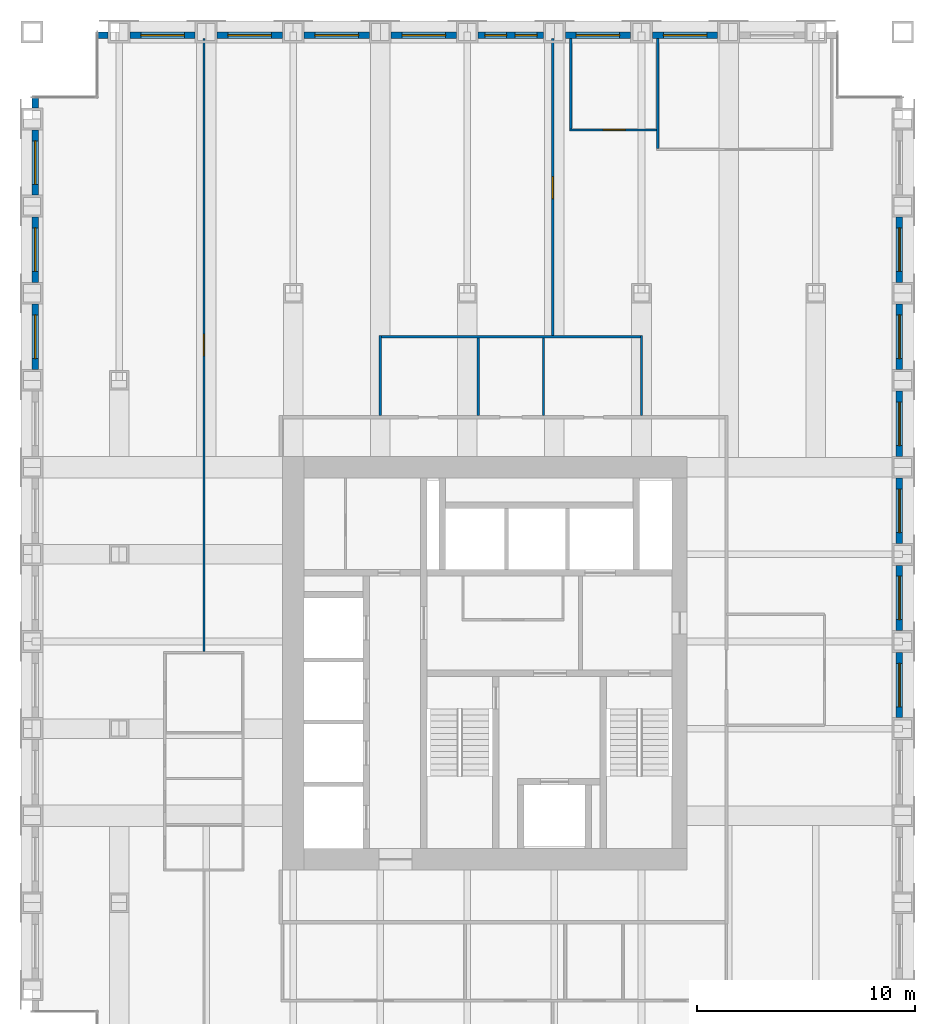
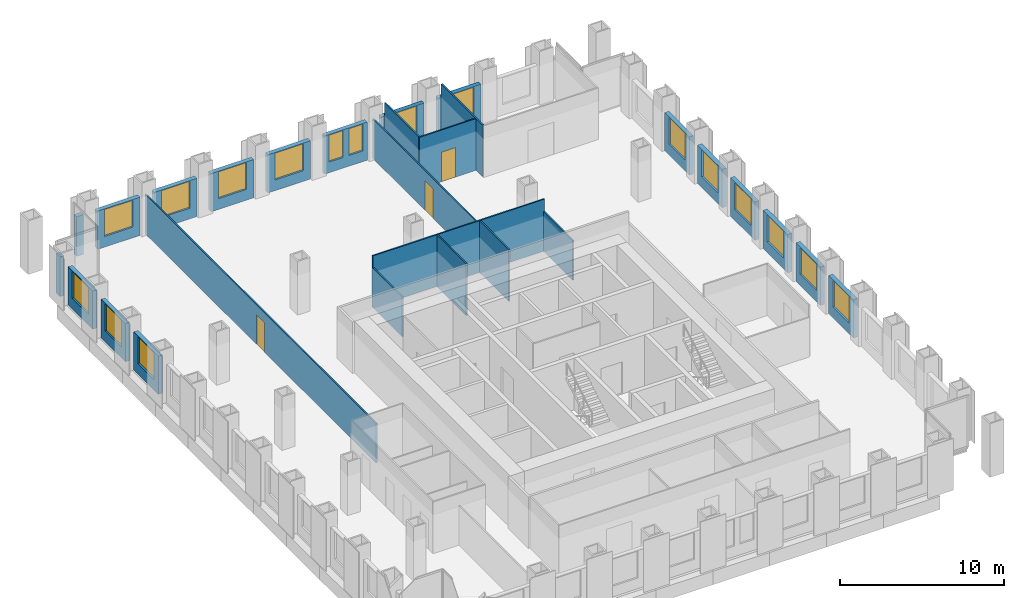
# One storey, part 11 of 13: 28 walls, 17 windows, 3 doors, 20 openings.
"""IFC4 building model written with IfcOpenShell, lengths in metres."""

from ifc_helpers import new_model, si_unit, direction, frame, frame_2d, origin, place, context, subcontext, project, spatial, rectangle, extrude, material, layer, layer_set, type_object, element, fill, save


model = new_model("IFC4")

# Units and contexts
model_context = context("Model", 3, precision=1e-05, world=origin(), true_north=direction((0.0, 1.0)))
body_context = subcontext(model_context, "Body", "Model", "MODEL_VIEW")
ifc_project = project(units=[si_unit("LENGTHUNIT", "METRE"), si_unit("AREAUNIT", "SQUARE_METRE"), si_unit("VOLUMEUNIT", "CUBIC_METRE"), si_unit("PLANEANGLEUNIT", "RADIAN"), si_unit("MASSUNIT", "GRAM", prefix="KILO")], contexts=[model_context])

# Site, building, storey
site_placement = place(None, origin())
site = spatial("IfcSite", under=ifc_project, at=site_placement, CompositionType="ELEMENT")
building_placement = place(site_placement, origin())
building = spatial("IfcBuilding", under=site, at=building_placement, Name="Rimbunsela Tower", CompositionType="ELEMENT")
storey_placement = place(building_placement, frame((0.0, 0.0, 195.800048828125)))
storey = spatial("IfcBuildingStorey", under=building, at=storey_placement, Name="L47", CompositionType="ELEMENT", Elevation=195.800048828125)

# Wall, opening, door
ifc_material_1 = material(Name="Gypsum board on steel studs", Category="steel")
ifc_layer_1 = layer(ifc_material_1, 0.10009765625)
ifc_layer_set_1 = layer_set([ifc_layer_1], Name="Office partition 100")
wall_type_1 = type_object("IfcWallType", Name="Office partition 100", PredefinedType="PARTITIONING", material=ifc_layer_set_1)
wall_1_placement = place(storey_placement, frame((30.699951171875, 51.5, 0.0), z_axis=(0.0, 0.0, 1.0), x_axis=(1.0, 0.0, 0.0)))
wall_1 = element("IfcWall", 1, at=wall_1_placement, inside=storey, type_object=wall_type_1, Name="Office partition", PredefinedType="PARTITIONING", context=body_context, shape_type="SweptSolid", body=[
    extrude(rectangle(XDim=4.0, YDim=0.10009765625, at=frame_2d((2.0, 0.0))), origin(), (0.0, 0.0, 1.0), 3.849853515625),
])
opening_1_placement = place(wall_1_placement, frame((1.550048828125, 0.0, 0.0)))
opening_1 = element("IfcOpeningElement", 2, at=opening_1_placement, cuts=wall_1, Name="Opening D16", PredefinedType="OPENING", context=body_context, shape_type="SweptSolid", body=[
    extrude(rectangle(XDim=1.0, YDim=2.199951171875, at=frame_2d((0.5, 1.10009765625))), frame((0.0, 0.06005859375, 0.0), z_axis=(0.0, -1.0, 0.0), x_axis=(1.0, 0.0, 0.0)), (0.0, 0.0, 1.0), 0.1201171875),
])
ifc_material_2 = material(Name="Timber door", Category="wood")
door_type_1 = type_object("IfcDoorType", Name="Office door 1000", OperationType="SINGLE_SWING_LEFT", PredefinedType="DOOR", material=ifc_material_2)
door_1_placement = place(opening_1_placement, origin())
door_1 = element("IfcDoor", 3, at=door_1_placement, inside=storey, type_object=door_type_1, Name="Office door", OperationType="SINGLE_SWING_LEFT", OverallHeight=2.199951171875, OverallWidth=1.0, PredefinedType="DOOR", context=body_context, shape_type="SweptSolid", body=[
    extrude(rectangle(XDim=1.0, YDim=2.199951171875, at=frame_2d((0.5, 1.10009765625))), frame((0.0, 0.02490234375, 0.0), z_axis=(0.0, -1.0, 0.0), x_axis=(1.0, 0.0, 0.0)), (0.0, 0.0, 1.0), 0.050048828125),
])
fill(opening_1, door_1)

# Walls
wall_2_placement = place(storey_placement, frame((30.75, 51.550048828125, 0.0), z_axis=(0.0, 0.0, 1.0), x_axis=(0.0, 1.0, 0.0)))
element("IfcWall", 4, at=wall_2_placement, inside=storey, type_object=wall_type_1, Name="Office partition", PredefinedType="PARTITIONING", context=body_context, shape_type="SweptSolid", body=[
    extrude(rectangle(XDim=4.14990234375, YDim=0.10009765625, at=frame_2d((2.074951171875, 0.0))), origin(), (0.0, 0.0, 1.0), 3.849853515625),
])
wall_3_placement = place(storey_placement, frame((34.75, 50.64990234375, 0.0), z_axis=(0.0, 0.0, 1.0), x_axis=(0.0, 1.0, 0.0)))
element("IfcWall", 5, at=wall_3_placement, inside=storey, type_object=wall_type_1, Name="Office partition", PredefinedType="PARTITIONING", context=body_context, shape_type="SweptSolid", body=[
    extrude(rectangle(XDim=5.050048828125, YDim=0.10009765625, at=frame_2d((2.52490234375, 0.0))), origin(), (0.0, 0.0, 1.0), 3.849853515625),
])

# Wall, opening, door
wall_4_placement = place(storey_placement, frame((29.925048828125, 55.699951171875, 0.0), z_axis=(0.0, 0.0, 1.0), x_axis=(0.0, -1.0, 0.0)))
wall_4 = element("IfcWall", 6, at=wall_4_placement, inside=storey, type_object=wall_type_1, Name="Office partition", PredefinedType="PARTITIONING", context=body_context, shape_type="SweptSolid", body=[
    extrude(rectangle(XDim=13.699951171875, YDim=0.10009765625, at=frame_2d((6.85009765625, 0.0))), origin(), (0.0, 0.0, 1.0), 2.949951171875),
])
opening_2_placement = place(wall_4_placement, frame((6.35009765625, 0.0, 0.0)))
opening_2 = element("IfcOpeningElement", 7, at=opening_2_placement, cuts=wall_4, Name="Opening D17", PredefinedType="OPENING", context=body_context, shape_type="SweptSolid", body=[
    extrude(rectangle(XDim=1.0, YDim=2.199951171875, at=frame_2d((0.5, 1.10009765625))), frame((0.0, 0.06005859375, 0.0), z_axis=(0.0, -1.0, 0.0), x_axis=(1.0, 0.0, 0.0)), (0.0, 0.0, 1.0), 0.1201171875),
])
ifc_material_3 = material(Name="Glazed aluminium door", Category="aluminium")
door_type_2 = type_object("IfcDoorType", Name="Meeting room door 1000 glazed", OperationType="SINGLE_SWING_RIGHT", PredefinedType="DOOR", material=ifc_material_3)
door_2_placement = place(opening_2_placement, origin())
door_2 = element("IfcDoor", 8, at=door_2_placement, inside=storey, type_object=door_type_2, Name="Open office screen door", OperationType="SINGLE_SWING_RIGHT", OverallHeight=2.199951171875, OverallWidth=1.0, PredefinedType="DOOR", context=body_context, shape_type="SweptSolid", body=[
    extrude(rectangle(XDim=1.0, YDim=2.199951171875, at=frame_2d((0.5, 1.10009765625))), frame((0.0, 0.02490234375, 0.0), z_axis=(0.0, -1.0, 0.0), x_axis=(1.0, 0.0, 0.0)), (0.0, 0.0, 1.0), 0.050048828125),
])
fill(opening_2, door_2)

wall_5_placement = place(storey_placement, frame((13.89990234375, 27.550048828125, 0.0), z_axis=(0.0, 0.0, 1.0), x_axis=(0.0, 1.0, 0.0)))
wall_5 = element("IfcWall", 9, at=wall_5_placement, inside=storey, type_object=wall_type_1, Name="Office partition", PredefinedType="PARTITIONING", context=body_context, shape_type="SweptSolid", body=[
    extrude(rectangle(XDim=28.14990234375, YDim=0.10009765625, at=frame_2d((14.074951171875, 0.0))), origin(), (0.0, 0.0, 1.0), 2.949951171875),
])
opening_3_placement = place(wall_5_placement, frame((13.574951171875, 0.0, 0.0)))
opening_3 = element("IfcOpeningElement", 10, at=opening_3_placement, cuts=wall_5, Name="Opening D17", PredefinedType="OPENING", context=body_context, shape_type="SweptSolid", body=[
    extrude(rectangle(XDim=1.0, YDim=2.199951171875, at=frame_2d((0.5, 1.10009765625))), frame((0.0, 0.06005859375, 0.0), z_axis=(0.0, -1.0, 0.0), x_axis=(1.0, 0.0, 0.0)), (0.0, 0.0, 1.0), 0.1201171875),
])
door_3_placement = place(opening_3_placement, origin())
door_3 = element("IfcDoor", 11, at=door_3_placement, inside=storey, type_object=door_type_2, Name="Open office screen door", OperationType="SINGLE_SWING_RIGHT", OverallHeight=2.199951171875, OverallWidth=1.0, PredefinedType="DOOR", context=body_context, shape_type="SweptSolid", body=[
    extrude(rectangle(XDim=1.0, YDim=2.199951171875, at=frame_2d((0.5, 1.10009765625))), frame((0.0, 0.02490234375, 0.0), z_axis=(0.0, -1.0, 0.0), x_axis=(1.0, 0.0, 0.0)), (0.0, 0.0, 1.0), 0.050048828125),
])
fill(opening_3, door_3)

# Wall, opening, window
ifc_material_4 = material(Name="Precast concrete fc' 35 MPa", Category="concrete")
ifc_layer_2 = layer(ifc_material_4, 0.300048828125)
ifc_layer_set_2 = layer_set([ifc_layer_2], Name="Precast concrete fc' 35 MPa")
wall_type_2 = type_object("IfcWallType", Name="Precast facade panel 300", PredefinedType="ELEMENTEDWALL", material=ifc_layer_set_2)
wall_6_placement = place(storey_placement, frame((45.85009765625, 24.5, 0.0), z_axis=(0.0, 0.0, 1.0), x_axis=(0.0, 1.0, 0.0)))
wall_6 = element("IfcWall", 12, at=wall_6_placement, inside=storey, type_object=wall_type_2, Name="Facade panel E L47", PredefinedType="ELEMENTEDWALL", context=body_context, shape_type="SweptSolid", body=[
    extrude(rectangle(XDim=3.0, YDim=0.300048828125, at=frame_2d((1.5, 0.0))), origin(), (0.0, 0.0, 1.0), 2.849853515625),
])
opening_4_placement = place(wall_6_placement, frame((0.5, 0.0, 0.800048828125)))
opening_4 = element("IfcOpeningElement", 13, at=opening_4_placement, cuts=wall_6, Name="Opening W1", PredefinedType="OPENING", context=body_context, shape_type="SweptSolid", body=[
    extrude(rectangle(XDim=2.0, YDim=2.0, at=frame_2d((1.0, 1.0))), frame((0.0, 0.159912109375, 0.0), z_axis=(0.0, -1.0, 0.0), x_axis=(1.0, 0.0, 0.0)), (0.0, 0.0, 1.0), 0.320068359375),
])
ifc_material_5 = material(Name="Clear glass in aluminium frame", Category="aluminium")
window_type_1 = type_object("IfcWindowType", Name="Window W1 2000x2000", PartitioningType="DOUBLE_PANEL_VERTICAL", PredefinedType="WINDOW", material=ifc_material_5)
window_1_placement = place(opening_4_placement, origin())
window_1 = element("IfcWindow", 14, at=window_1_placement, inside=storey, type_object=window_type_1, Name="Window L47", OverallHeight=2.0, OverallWidth=2.0, PartitioningType="SINGLE_PANEL", PredefinedType="WINDOW", context=body_context, shape_type="SweptSolid", body=[
    extrude(rectangle(XDim=2.0, YDim=2.0, at=frame_2d((1.0, 1.0))), frame((0.0, 0.030029296875, 0.0), z_axis=(0.0, -1.0, 0.0), x_axis=(1.0, 0.0, 0.0)), (0.0, 0.0, 1.0), 0.06005859375),
])
fill(opening_4, window_1)

wall_7_placement = place(storey_placement, frame((45.85009765625, 28.5, 0.0), z_axis=(0.0, 0.0, 1.0), x_axis=(0.0, 1.0, 0.0)))
wall_7 = element("IfcWall", 15, at=wall_7_placement, inside=storey, type_object=wall_type_2, Name="Facade panel E L47", PredefinedType="ELEMENTEDWALL", context=body_context, shape_type="SweptSolid", body=[
    extrude(rectangle(XDim=3.0, YDim=0.300048828125, at=frame_2d((1.5, 0.0))), origin(), (0.0, 0.0, 1.0), 2.849853515625),
])
opening_5_placement = place(wall_7_placement, frame((0.5, 0.0, 0.800048828125)))
opening_5 = element("IfcOpeningElement", 16, at=opening_5_placement, cuts=wall_7, Name="Opening W1", PredefinedType="OPENING", context=body_context, shape_type="SweptSolid", body=[
    extrude(rectangle(XDim=2.0, YDim=2.0, at=frame_2d((1.0, 1.0))), frame((0.0, 0.159912109375, 0.0), z_axis=(0.0, -1.0, 0.0), x_axis=(1.0, 0.0, 0.0)), (0.0, 0.0, 1.0), 0.320068359375),
])
window_2_placement = place(opening_5_placement, origin())
window_2 = element("IfcWindow", 17, at=window_2_placement, inside=storey, type_object=window_type_1, Name="Window L47", OverallHeight=2.0, OverallWidth=2.0, PartitioningType="SINGLE_PANEL", PredefinedType="WINDOW", context=body_context, shape_type="SweptSolid", body=[
    extrude(rectangle(XDim=2.0, YDim=2.0, at=frame_2d((1.0, 1.0))), frame((0.0, 0.030029296875, 0.0), z_axis=(0.0, -1.0, 0.0), x_axis=(1.0, 0.0, 0.0)), (0.0, 0.0, 1.0), 0.06005859375),
])
fill(opening_5, window_2)

wall_8_placement = place(storey_placement, frame((45.85009765625, 32.5, 0.0), z_axis=(0.0, 0.0, 1.0), x_axis=(0.0, 1.0, 0.0)))
wall_8 = element("IfcWall", 18, at=wall_8_placement, inside=storey, type_object=wall_type_2, Name="Facade panel E L47", PredefinedType="ELEMENTEDWALL", context=body_context, shape_type="SweptSolid", body=[
    extrude(rectangle(XDim=3.0, YDim=0.300048828125, at=frame_2d((1.5, 0.0))), origin(), (0.0, 0.0, 1.0), 2.849853515625),
])
opening_6_placement = place(wall_8_placement, frame((0.5, 0.0, 0.800048828125)))
opening_6 = element("IfcOpeningElement", 19, at=opening_6_placement, cuts=wall_8, Name="Opening W1", PredefinedType="OPENING", context=body_context, shape_type="SweptSolid", body=[
    extrude(rectangle(XDim=2.0, YDim=2.0, at=frame_2d((1.0, 1.0))), frame((0.0, 0.159912109375, 0.0), z_axis=(0.0, -1.0, 0.0), x_axis=(1.0, 0.0, 0.0)), (0.0, 0.0, 1.0), 0.320068359375),
])
window_3_placement = place(opening_6_placement, origin())
window_3 = element("IfcWindow", 20, at=window_3_placement, inside=storey, type_object=window_type_1, Name="Window L47", OverallHeight=2.0, OverallWidth=2.0, PartitioningType="SINGLE_PANEL", PredefinedType="WINDOW", context=body_context, shape_type="SweptSolid", body=[
    extrude(rectangle(XDim=2.0, YDim=2.0, at=frame_2d((1.0, 1.0))), frame((0.0, 0.030029296875, 0.0), z_axis=(0.0, -1.0, 0.0), x_axis=(1.0, 0.0, 0.0)), (0.0, 0.0, 1.0), 0.06005859375),
])
fill(opening_6, window_3)

wall_9_placement = place(storey_placement, frame((45.85009765625, 36.5, 0.0), z_axis=(0.0, 0.0, 1.0), x_axis=(0.0, 1.0, 0.0)))
wall_9 = element("IfcWall", 21, at=wall_9_placement, inside=storey, type_object=wall_type_2, Name="Facade panel E L47", PredefinedType="ELEMENTEDWALL", context=body_context, shape_type="SweptSolid", body=[
    extrude(rectangle(XDim=3.0, YDim=0.300048828125, at=frame_2d((1.5, 0.0))), origin(), (0.0, 0.0, 1.0), 2.849853515625),
])
opening_7_placement = place(wall_9_placement, frame((0.5, 0.0, 0.800048828125)))
opening_7 = element("IfcOpeningElement", 22, at=opening_7_placement, cuts=wall_9, Name="Opening W1", PredefinedType="OPENING", context=body_context, shape_type="SweptSolid", body=[
    extrude(rectangle(XDim=2.0, YDim=2.0, at=frame_2d((1.0, 1.0))), frame((0.0, 0.159912109375, 0.0), z_axis=(0.0, -1.0, 0.0), x_axis=(1.0, 0.0, 0.0)), (0.0, 0.0, 1.0), 0.320068359375),
])
window_4_placement = place(opening_7_placement, origin())
window_4 = element("IfcWindow", 23, at=window_4_placement, inside=storey, type_object=window_type_1, Name="Window L47", OverallHeight=2.0, OverallWidth=2.0, PartitioningType="SINGLE_PANEL", PredefinedType="WINDOW", context=body_context, shape_type="SweptSolid", body=[
    extrude(rectangle(XDim=2.0, YDim=2.0, at=frame_2d((1.0, 1.0))), frame((0.0, 0.030029296875, 0.0), z_axis=(0.0, -1.0, 0.0), x_axis=(1.0, 0.0, 0.0)), (0.0, 0.0, 1.0), 0.06005859375),
])
fill(opening_7, window_4)

wall_10_placement = place(storey_placement, frame((45.85009765625, 40.5, 0.0), z_axis=(0.0, 0.0, 1.0), x_axis=(0.0, 1.0, 0.0)))
wall_10 = element("IfcWall", 24, at=wall_10_placement, inside=storey, type_object=wall_type_2, Name="Facade panel E L47", PredefinedType="ELEMENTEDWALL", context=body_context, shape_type="SweptSolid", body=[
    extrude(rectangle(XDim=3.0, YDim=0.300048828125, at=frame_2d((1.5, 0.0))), origin(), (0.0, 0.0, 1.0), 2.849853515625),
])
opening_8_placement = place(wall_10_placement, frame((0.5, 0.0, 0.800048828125)))
opening_8 = element("IfcOpeningElement", 25, at=opening_8_placement, cuts=wall_10, Name="Opening W1", PredefinedType="OPENING", context=body_context, shape_type="SweptSolid", body=[
    extrude(rectangle(XDim=2.0, YDim=2.0, at=frame_2d((1.0, 1.0))), frame((0.0, 0.159912109375, 0.0), z_axis=(0.0, -1.0, 0.0), x_axis=(1.0, 0.0, 0.0)), (0.0, 0.0, 1.0), 0.320068359375),
])
window_5_placement = place(opening_8_placement, origin())
window_5 = element("IfcWindow", 26, at=window_5_placement, inside=storey, type_object=window_type_1, Name="Window L47", OverallHeight=2.0, OverallWidth=2.0, PartitioningType="SINGLE_PANEL", PredefinedType="WINDOW", context=body_context, shape_type="SweptSolid", body=[
    extrude(rectangle(XDim=2.0, YDim=2.0, at=frame_2d((1.0, 1.0))), frame((0.0, 0.030029296875, 0.0), z_axis=(0.0, -1.0, 0.0), x_axis=(1.0, 0.0, 0.0)), (0.0, 0.0, 1.0), 0.06005859375),
])
fill(opening_8, window_5)

wall_11_placement = place(storey_placement, frame((45.85009765625, 44.5, 0.0), z_axis=(0.0, 0.0, 1.0), x_axis=(0.0, 1.0, 0.0)))
wall_11 = element("IfcWall", 27, at=wall_11_placement, inside=storey, type_object=wall_type_2, Name="Facade panel E L47", PredefinedType="ELEMENTEDWALL", context=body_context, shape_type="SweptSolid", body=[
    extrude(rectangle(XDim=3.0, YDim=0.300048828125, at=frame_2d((1.5, 0.0))), origin(), (0.0, 0.0, 1.0), 2.849853515625),
])
opening_9_placement = place(wall_11_placement, frame((0.5, 0.0, 0.800048828125)))
opening_9 = element("IfcOpeningElement", 28, at=opening_9_placement, cuts=wall_11, Name="Opening W1", PredefinedType="OPENING", context=body_context, shape_type="SweptSolid", body=[
    extrude(rectangle(XDim=2.0, YDim=2.0, at=frame_2d((1.0, 1.0))), frame((0.0, 0.159912109375, 0.0), z_axis=(0.0, -1.0, 0.0), x_axis=(1.0, 0.0, 0.0)), (0.0, 0.0, 1.0), 0.320068359375),
])
window_6_placement = place(opening_9_placement, origin())
window_6 = element("IfcWindow", 29, at=window_6_placement, inside=storey, type_object=window_type_1, Name="Window L47", OverallHeight=2.0, OverallWidth=2.0, PartitioningType="SINGLE_PANEL", PredefinedType="WINDOW", context=body_context, shape_type="SweptSolid", body=[
    extrude(rectangle(XDim=2.0, YDim=2.0, at=frame_2d((1.0, 1.0))), frame((0.0, 0.030029296875, 0.0), z_axis=(0.0, -1.0, 0.0), x_axis=(1.0, 0.0, 0.0)), (0.0, 0.0, 1.0), 0.06005859375),
])
fill(opening_9, window_6)

# Wall
wall_12_placement = place(storey_placement, frame((9.5, 55.85009765625, 0.0), z_axis=(0.0, 0.0, 1.0), x_axis=(-1.0, 0.0, 0.0)))
element("IfcWall", 30, at=wall_12_placement, inside=storey, type_object=wall_type_2, Name="Facade panel N L47", PredefinedType="ELEMENTEDWALL", context=body_context, shape_type="SweptSolid", body=[
    extrude(rectangle(XDim=0.469970703125, YDim=0.300048828125, at=frame_2d((0.23486328125, 0.0))), origin(), (0.0, 0.0, 1.0), 2.949951171875),
])

# Wall, opening, window
wall_13_placement = place(storey_placement, frame((13.5, 55.85009765625, 0.0), z_axis=(0.0, 0.0, 1.0), x_axis=(-1.0, 0.0, 0.0)))
wall_13 = element("IfcWall", 31, at=wall_13_placement, inside=storey, type_object=wall_type_2, Name="Facade panel N L47", PredefinedType="ELEMENTEDWALL", context=body_context, shape_type="SweptSolid", body=[
    extrude(rectangle(XDim=3.0, YDim=0.300048828125, at=frame_2d((1.5, 0.0))), origin(), (0.0, 0.0, 1.0), 2.849853515625),
])
opening_10_placement = place(wall_13_placement, frame((0.5, 0.0, 0.800048828125)))
opening_10 = element("IfcOpeningElement", 32, at=opening_10_placement, cuts=wall_13, Name="Opening W1", PredefinedType="OPENING", context=body_context, shape_type="SweptSolid", body=[
    extrude(rectangle(XDim=2.0, YDim=2.0, at=frame_2d((1.0, 1.0))), frame((0.0, 0.159912109375, 0.0), z_axis=(0.0, -1.0, 0.0), x_axis=(1.0, 0.0, 0.0)), (0.0, 0.0, 1.0), 0.320068359375),
])
window_7_placement = place(opening_10_placement, origin())
window_7 = element("IfcWindow", 33, at=window_7_placement, inside=storey, type_object=window_type_1, Name="Window L47", OverallHeight=2.0, OverallWidth=2.0, PartitioningType="SINGLE_PANEL", PredefinedType="WINDOW", context=body_context, shape_type="SweptSolid", body=[
    extrude(rectangle(XDim=2.0, YDim=2.0, at=frame_2d((1.0, 1.0))), frame((0.0, 0.030029296875, 0.0), z_axis=(0.0, -1.0, 0.0), x_axis=(1.0, 0.0, 0.0)), (0.0, 0.0, 1.0), 0.06005859375),
])
fill(opening_10, window_7)

wall_14_placement = place(storey_placement, frame((17.5, 55.85009765625, 0.0), z_axis=(0.0, 0.0, 1.0), x_axis=(-1.0, 0.0, 0.0)))
wall_14 = element("IfcWall", 34, at=wall_14_placement, inside=storey, type_object=wall_type_2, Name="Facade panel N L47", PredefinedType="ELEMENTEDWALL", context=body_context, shape_type="SweptSolid", body=[
    extrude(rectangle(XDim=3.0, YDim=0.300048828125, at=frame_2d((1.5, 0.0))), origin(), (0.0, 0.0, 1.0), 2.849853515625),
])
opening_11_placement = place(wall_14_placement, frame((0.5, 0.0, 0.800048828125)))
opening_11 = element("IfcOpeningElement", 35, at=opening_11_placement, cuts=wall_14, Name="Opening W1", PredefinedType="OPENING", context=body_context, shape_type="SweptSolid", body=[
    extrude(rectangle(XDim=2.0, YDim=2.0, at=frame_2d((1.0, 1.0))), frame((0.0, 0.159912109375, 0.0), z_axis=(0.0, -1.0, 0.0), x_axis=(1.0, 0.0, 0.0)), (0.0, 0.0, 1.0), 0.320068359375),
])
window_8_placement = place(opening_11_placement, origin())
window_8 = element("IfcWindow", 36, at=window_8_placement, inside=storey, type_object=window_type_1, Name="Window L47", OverallHeight=2.0, OverallWidth=2.0, PartitioningType="SINGLE_PANEL", PredefinedType="WINDOW", context=body_context, shape_type="SweptSolid", body=[
    extrude(rectangle(XDim=2.0, YDim=2.0, at=frame_2d((1.0, 1.0))), frame((0.0, 0.030029296875, 0.0), z_axis=(0.0, -1.0, 0.0), x_axis=(1.0, 0.0, 0.0)), (0.0, 0.0, 1.0), 0.06005859375),
])
fill(opening_11, window_8)

wall_15_placement = place(storey_placement, frame((21.5, 55.85009765625, 0.0), z_axis=(0.0, 0.0, 1.0), x_axis=(-1.0, 0.0, 0.0)))
wall_15 = element("IfcWall", 37, at=wall_15_placement, inside=storey, type_object=wall_type_2, Name="Facade panel N L47", PredefinedType="ELEMENTEDWALL", context=body_context, shape_type="SweptSolid", body=[
    extrude(rectangle(XDim=3.0, YDim=0.300048828125, at=frame_2d((1.5, 0.0))), origin(), (0.0, 0.0, 1.0), 2.849853515625),
])
opening_12_placement = place(wall_15_placement, frame((0.5, 0.0, 0.800048828125)))
opening_12 = element("IfcOpeningElement", 38, at=opening_12_placement, cuts=wall_15, Name="Opening W1", PredefinedType="OPENING", context=body_context, shape_type="SweptSolid", body=[
    extrude(rectangle(XDim=2.0, YDim=2.0, at=frame_2d((1.0, 1.0))), frame((0.0, 0.159912109375, 0.0), z_axis=(0.0, -1.0, 0.0), x_axis=(1.0, 0.0, 0.0)), (0.0, 0.0, 1.0), 0.320068359375),
])
window_9_placement = place(opening_12_placement, origin())
window_9 = element("IfcWindow", 39, at=window_9_placement, inside=storey, type_object=window_type_1, Name="Window L47", OverallHeight=2.0, OverallWidth=2.0, PartitioningType="SINGLE_PANEL", PredefinedType="WINDOW", context=body_context, shape_type="SweptSolid", body=[
    extrude(rectangle(XDim=2.0, YDim=2.0, at=frame_2d((1.0, 1.0))), frame((0.0, 0.030029296875, 0.0), z_axis=(0.0, -1.0, 0.0), x_axis=(1.0, 0.0, 0.0)), (0.0, 0.0, 1.0), 0.06005859375),
])
fill(opening_12, window_9)

wall_16_placement = place(storey_placement, frame((25.5, 55.85009765625, 0.0), z_axis=(0.0, 0.0, 1.0), x_axis=(-1.0, 0.0, 0.0)))
wall_16 = element("IfcWall", 40, at=wall_16_placement, inside=storey, type_object=wall_type_2, Name="Facade panel N L47", PredefinedType="ELEMENTEDWALL", context=body_context, shape_type="SweptSolid", body=[
    extrude(rectangle(XDim=3.0, YDim=0.300048828125, at=frame_2d((1.5, 0.0))), origin(), (0.0, 0.0, 1.0), 2.849853515625),
])
opening_13_placement = place(wall_16_placement, frame((0.5, 0.0, 0.800048828125)))
opening_13 = element("IfcOpeningElement", 41, at=opening_13_placement, cuts=wall_16, Name="Opening W1", PredefinedType="OPENING", context=body_context, shape_type="SweptSolid", body=[
    extrude(rectangle(XDim=2.0, YDim=2.0, at=frame_2d((1.0, 1.0))), frame((0.0, 0.159912109375, 0.0), z_axis=(0.0, -1.0, 0.0), x_axis=(1.0, 0.0, 0.0)), (0.0, 0.0, 1.0), 0.320068359375),
])
window_10_placement = place(opening_13_placement, origin())
window_10 = element("IfcWindow", 42, at=window_10_placement, inside=storey, type_object=window_type_1, Name="Window L47", OverallHeight=2.0, OverallWidth=2.0, PartitioningType="SINGLE_PANEL", PredefinedType="WINDOW", context=body_context, shape_type="SweptSolid", body=[
    extrude(rectangle(XDim=2.0, YDim=2.0, at=frame_2d((1.0, 1.0))), frame((0.0, 0.030029296875, 0.0), z_axis=(0.0, -1.0, 0.0), x_axis=(1.0, 0.0, 0.0)), (0.0, 0.0, 1.0), 0.06005859375),
])
fill(opening_13, window_10)

# Wall, openings, windows
wall_17_placement = place(storey_placement, frame((29.5, 55.85009765625, 0.0), z_axis=(0.0, 0.0, 1.0), x_axis=(-1.0, 0.0, 0.0)))
wall_17 = element("IfcWall", 43, at=wall_17_placement, inside=storey, type_object=wall_type_2, Name="Facade panel N L47", PredefinedType="ELEMENTEDWALL", context=body_context, shape_type="SweptSolid", body=[
    extrude(rectangle(XDim=3.0, YDim=0.300048828125, at=frame_2d((1.5, 0.0))), origin(), (0.0, 0.0, 1.0), 2.849853515625),
])
opening_14_placement = place(wall_17_placement, frame((1.699951171875, 0.0, 0.800048828125)))
opening_14 = element("IfcOpeningElement", 44, at=opening_14_placement, cuts=wall_17, Name="Opening W5", PredefinedType="OPENING", context=body_context, shape_type="SweptSolid", body=[
    extrude(rectangle(XDim=1.0, YDim=2.0, at=frame_2d((0.5, 1.0))), frame((0.0, 0.159912109375, 0.0), z_axis=(0.0, -1.0, 0.0), x_axis=(1.0, 0.0, 0.0)), (0.0, 0.0, 1.0), 0.320068359375),
])
opening_15_placement = place(wall_17_placement, frame((0.300048828125, 0.0, 0.800048828125)))
opening_15 = element("IfcOpeningElement", 45, at=opening_15_placement, cuts=wall_17, Name="Opening W5", PredefinedType="OPENING", context=body_context, shape_type="SweptSolid", body=[
    extrude(rectangle(XDim=1.0, YDim=2.0, at=frame_2d((0.5, 1.0))), frame((0.0, 0.159912109375, 0.0), z_axis=(0.0, -1.0, 0.0), x_axis=(1.0, 0.0, 0.0)), (0.0, 0.0, 1.0), 0.320068359375),
])
ifc_material_6 = material(Name="Clear glass in aluminium frame", Category="aluminium")
window_type_2 = type_object("IfcWindowType", Name="Window W5 1000x2000", PartitioningType="SINGLE_PANEL", PredefinedType="WINDOW", material=ifc_material_6)
window_11_placement = place(opening_14_placement, origin())
window_11 = element("IfcWindow", 46, at=window_11_placement, inside=storey, type_object=window_type_2, Name="Window L47", OverallHeight=2.0, OverallWidth=1.0, PartitioningType="SINGLE_PANEL", PredefinedType="WINDOW", context=body_context, shape_type="SweptSolid", body=[
    extrude(rectangle(XDim=1.0, YDim=2.0, at=frame_2d((0.5, 1.0))), frame((0.0, 0.030029296875, 0.0), z_axis=(0.0, -1.0, 0.0), x_axis=(1.0, 0.0, 0.0)), (0.0, 0.0, 1.0), 0.06005859375),
])
fill(opening_14, window_11)
window_12_placement = place(opening_15_placement, origin())
window_12 = element("IfcWindow", 47, at=window_12_placement, inside=storey, type_object=window_type_2, Name="Window L47", OverallHeight=2.0, OverallWidth=1.0, PartitioningType="SINGLE_PANEL", PredefinedType="WINDOW", context=body_context, shape_type="SweptSolid", body=[
    extrude(rectangle(XDim=1.0, YDim=2.0, at=frame_2d((0.5, 1.0))), frame((0.0, 0.030029296875, 0.0), z_axis=(0.0, -1.0, 0.0), x_axis=(1.0, 0.0, 0.0)), (0.0, 0.0, 1.0), 0.06005859375),
])
fill(opening_15, window_12)

# Wall, opening, window
wall_18_placement = place(storey_placement, frame((33.5, 55.85009765625, 0.0), z_axis=(0.0, 0.0, 1.0), x_axis=(-1.0, 0.0, 0.0)))
wall_18 = element("IfcWall", 48, at=wall_18_placement, inside=storey, type_object=wall_type_2, Name="Facade panel N L47", PredefinedType="ELEMENTEDWALL", context=body_context, shape_type="SweptSolid", body=[
    extrude(rectangle(XDim=3.0, YDim=0.300048828125, at=frame_2d((1.5, 0.0))), origin(), (0.0, 0.0, 1.0), 2.849853515625),
])
opening_16_placement = place(wall_18_placement, frame((0.5, 0.0, 0.800048828125)))
opening_16 = element("IfcOpeningElement", 49, at=opening_16_placement, cuts=wall_18, Name="Opening W1", PredefinedType="OPENING", context=body_context, shape_type="SweptSolid", body=[
    extrude(rectangle(XDim=2.0, YDim=2.0, at=frame_2d((1.0, 1.0))), frame((0.0, 0.159912109375, 0.0), z_axis=(0.0, -1.0, 0.0), x_axis=(1.0, 0.0, 0.0)), (0.0, 0.0, 1.0), 0.320068359375),
])
window_13_placement = place(opening_16_placement, origin())
window_13 = element("IfcWindow", 50, at=window_13_placement, inside=storey, type_object=window_type_1, Name="Window L47", OverallHeight=2.0, OverallWidth=2.0, PartitioningType="SINGLE_PANEL", PredefinedType="WINDOW", context=body_context, shape_type="SweptSolid", body=[
    extrude(rectangle(XDim=2.0, YDim=2.0, at=frame_2d((1.0, 1.0))), frame((0.0, 0.030029296875, 0.0), z_axis=(0.0, -1.0, 0.0), x_axis=(1.0, 0.0, 0.0)), (0.0, 0.0, 1.0), 0.06005859375),
])
fill(opening_16, window_13)

wall_19_placement = place(storey_placement, frame((37.5, 55.85009765625, 0.0), z_axis=(0.0, 0.0, 1.0), x_axis=(-1.0, 0.0, 0.0)))
wall_19 = element("IfcWall", 51, at=wall_19_placement, inside=storey, type_object=wall_type_2, Name="Facade panel N L47", PredefinedType="ELEMENTEDWALL", context=body_context, shape_type="SweptSolid", body=[
    extrude(rectangle(XDim=3.0, YDim=0.300048828125, at=frame_2d((1.5, 0.0))), origin(), (0.0, 0.0, 1.0), 2.849853515625),
])
opening_17_placement = place(wall_19_placement, frame((0.5, 0.0, 0.800048828125)))
opening_17 = element("IfcOpeningElement", 52, at=opening_17_placement, cuts=wall_19, Name="Opening W1", PredefinedType="OPENING", context=body_context, shape_type="SweptSolid", body=[
    extrude(rectangle(XDim=2.0, YDim=2.0, at=frame_2d((1.0, 1.0))), frame((0.0, 0.159912109375, 0.0), z_axis=(0.0, -1.0, 0.0), x_axis=(1.0, 0.0, 0.0)), (0.0, 0.0, 1.0), 0.320068359375),
])
window_14_placement = place(opening_17_placement, origin())
window_14 = element("IfcWindow", 53, at=window_14_placement, inside=storey, type_object=window_type_1, Name="Window L47", OverallHeight=2.0, OverallWidth=2.0, PartitioningType="SINGLE_PANEL", PredefinedType="WINDOW", context=body_context, shape_type="SweptSolid", body=[
    extrude(rectangle(XDim=2.0, YDim=2.0, at=frame_2d((1.0, 1.0))), frame((0.0, 0.030029296875, 0.0), z_axis=(0.0, -1.0, 0.0), x_axis=(1.0, 0.0, 0.0)), (0.0, 0.0, 1.0), 0.06005859375),
])
fill(opening_17, window_14)

wall_20_placement = place(storey_placement, frame((6.14990234375, 43.5, 0.0), z_axis=(0.0, 0.0, 1.0), x_axis=(0.0, -1.0, 0.0)))
wall_20 = element("IfcWall", 54, at=wall_20_placement, inside=storey, type_object=wall_type_2, Name="Facade panel W L47", PredefinedType="ELEMENTEDWALL", context=body_context, shape_type="SweptSolid", body=[
    extrude(rectangle(XDim=3.0, YDim=0.300048828125, at=frame_2d((1.5, 0.0))), origin(), (0.0, 0.0, 1.0), 2.849853515625),
])
opening_18_placement = place(wall_20_placement, frame((0.5, 0.0, 0.800048828125)))
opening_18 = element("IfcOpeningElement", 55, at=opening_18_placement, cuts=wall_20, Name="Opening W1", PredefinedType="OPENING", context=body_context, shape_type="SweptSolid", body=[
    extrude(rectangle(XDim=2.0, YDim=2.0, at=frame_2d((1.0, 1.0))), frame((0.0, 0.159912109375, 0.0), z_axis=(0.0, -1.0, 0.0), x_axis=(1.0, 0.0, 0.0)), (0.0, 0.0, 1.0), 0.320068359375),
])
window_15_placement = place(opening_18_placement, origin())
window_15 = element("IfcWindow", 56, at=window_15_placement, inside=storey, type_object=window_type_1, Name="Window L47", OverallHeight=2.0, OverallWidth=2.0, PartitioningType="SINGLE_PANEL", PredefinedType="WINDOW", context=body_context, shape_type="SweptSolid", body=[
    extrude(rectangle(XDim=2.0, YDim=2.0, at=frame_2d((1.0, 1.0))), frame((0.0, 0.030029296875, 0.0), z_axis=(0.0, -1.0, 0.0), x_axis=(1.0, 0.0, 0.0)), (0.0, 0.0, 1.0), 0.06005859375),
])
fill(opening_18, window_15)

wall_21_placement = place(storey_placement, frame((6.14990234375, 47.5, 0.0), z_axis=(0.0, 0.0, 1.0), x_axis=(0.0, -1.0, 0.0)))
wall_21 = element("IfcWall", 57, at=wall_21_placement, inside=storey, type_object=wall_type_2, Name="Facade panel W L47", PredefinedType="ELEMENTEDWALL", context=body_context, shape_type="SweptSolid", body=[
    extrude(rectangle(XDim=3.0, YDim=0.300048828125, at=frame_2d((1.5, 0.0))), origin(), (0.0, 0.0, 1.0), 2.849853515625),
])
opening_19_placement = place(wall_21_placement, frame((0.5, 0.0, 0.800048828125)))
opening_19 = element("IfcOpeningElement", 58, at=opening_19_placement, cuts=wall_21, Name="Opening W1", PredefinedType="OPENING", context=body_context, shape_type="SweptSolid", body=[
    extrude(rectangle(XDim=2.0, YDim=2.0, at=frame_2d((1.0, 1.0))), frame((0.0, 0.159912109375, 0.0), z_axis=(0.0, -1.0, 0.0), x_axis=(1.0, 0.0, 0.0)), (0.0, 0.0, 1.0), 0.320068359375),
])
window_16_placement = place(opening_19_placement, origin())
window_16 = element("IfcWindow", 59, at=window_16_placement, inside=storey, type_object=window_type_1, Name="Window L47", OverallHeight=2.0, OverallWidth=2.0, PartitioningType="SINGLE_PANEL", PredefinedType="WINDOW", context=body_context, shape_type="SweptSolid", body=[
    extrude(rectangle(XDim=2.0, YDim=2.0, at=frame_2d((1.0, 1.0))), frame((0.0, 0.030029296875, 0.0), z_axis=(0.0, -1.0, 0.0), x_axis=(1.0, 0.0, 0.0)), (0.0, 0.0, 1.0), 0.06005859375),
])
fill(opening_19, window_16)

wall_22_placement = place(storey_placement, frame((6.14990234375, 51.5, 0.0), z_axis=(0.0, 0.0, 1.0), x_axis=(0.0, -1.0, 0.0)))
wall_22 = element("IfcWall", 60, at=wall_22_placement, inside=storey, type_object=wall_type_2, Name="Facade panel W L47", PredefinedType="ELEMENTEDWALL", context=body_context, shape_type="SweptSolid", body=[
    extrude(rectangle(XDim=3.0, YDim=0.300048828125, at=frame_2d((1.5, 0.0))), origin(), (0.0, 0.0, 1.0), 2.849853515625),
])
opening_20_placement = place(wall_22_placement, frame((0.5, 0.0, 0.800048828125)))
opening_20 = element("IfcOpeningElement", 61, at=opening_20_placement, cuts=wall_22, Name="Opening W1", PredefinedType="OPENING", context=body_context, shape_type="SweptSolid", body=[
    extrude(rectangle(XDim=2.0, YDim=2.0, at=frame_2d((1.0, 1.0))), frame((0.0, 0.159912109375, 0.0), z_axis=(0.0, -1.0, 0.0), x_axis=(1.0, 0.0, 0.0)), (0.0, 0.0, 1.0), 0.320068359375),
])
window_17_placement = place(opening_20_placement, origin())
window_17 = element("IfcWindow", 62, at=window_17_placement, inside=storey, type_object=window_type_1, Name="Window L47", OverallHeight=2.0, OverallWidth=2.0, PartitioningType="SINGLE_PANEL", PredefinedType="WINDOW", context=body_context, shape_type="SweptSolid", body=[
    extrude(rectangle(XDim=2.0, YDim=2.0, at=frame_2d((1.0, 1.0))), frame((0.0, 0.030029296875, 0.0), z_axis=(0.0, -1.0, 0.0), x_axis=(1.0, 0.0, 0.0)), (0.0, 0.0, 1.0), 0.06005859375),
])
fill(opening_20, window_17)

# Walls
wall_23_placement = place(storey_placement, frame((6.14990234375, 52.969970703125, 0.0), z_axis=(0.0, 0.0, 1.0), x_axis=(0.0, -1.0, 0.0)))
element("IfcWall", 63, at=wall_23_placement, inside=storey, type_object=wall_type_2, Name="Facade panel W L47", PredefinedType="ELEMENTEDWALL", context=body_context, shape_type="SweptSolid", body=[
    extrude(rectangle(XDim=0.469970703125, YDim=0.300048828125, at=frame_2d((0.23486328125, 0.0))), origin(), (0.0, 0.0, 1.0), 2.949951171875),
])
ifc_material_7 = material(Name="Concrete blockwork", Category="masonry")
ifc_layer_3 = layer(ifc_material_7, 0.10009765625)
ifc_layer_set_3 = layer_set([ifc_layer_3], Name="Toilet partition 100")
wall_type_3 = type_object("IfcWallType", Name="Toilet partition 100", PredefinedType="PARTITIONING", material=ifc_layer_set_3)
for number, where, z_axis, x_axis, name in (
    (64, (22.0, 38.375, 0.0), (0.0, 0.0, 1.0), (0.0, 1.0, 0.0), "Toilet block wall west"),
    (65, (34.0, 38.375, 0.0), (0.0, 0.0, 1.0), (0.0, 1.0, 0.0), "Toilet block wall east"),
):
    element("IfcWall", number, at=place(storey_placement, frame(where, z_axis=z_axis, x_axis=x_axis)), inside=storey, type_object=wall_type_3, Name=name, PredefinedType="PARTITIONING", context=body_context, shape_type="SweptSolid", body=[
        extrude(rectangle(XDim=3.675048828125, YDim=0.10009765625, at=frame_2d((1.83740234375, 0.0))), origin(), (0.0, 0.0, 1.0), 2.949951171875),
    ])
wall_24_placement = place(storey_placement, frame((21.949951171875, 42.0, 0.0), z_axis=(0.0, 0.0, 1.0), x_axis=(1.0, 0.0, 0.0)))
element("IfcWall", 66, at=wall_24_placement, inside=storey, type_object=wall_type_3, Name="Toilet block wall north", PredefinedType="PARTITIONING", context=body_context, shape_type="SweptSolid", body=[
    extrude(rectangle(XDim=12.10009765625, YDim=0.10009765625, at=frame_2d((6.050048828125, 0.0))), origin(), (0.0, 0.0, 1.0), 3.849853515625),
])
for number, where, z_axis, x_axis, name in (
    (67, (26.5, 38.375, 0.0), (0.0, 0.0, 1.0), (0.0, 1.0, 0.0), "Toilet partition"),
    (68, (29.5, 38.375, 0.0), (0.0, 0.0, 1.0), (0.0, 1.0, 0.0), "Toilet partition"),
):
    element("IfcWall", number, at=place(storey_placement, frame(where, z_axis=z_axis, x_axis=x_axis)), inside=storey, type_object=wall_type_3, Name=name, PredefinedType="PARTITIONING", context=body_context, shape_type="SweptSolid", body=[
        extrude(rectangle(XDim=3.574951171875, YDim=0.10009765625, at=frame_2d((1.78759765625, 0.0))), origin(), (0.0, 0.0, 1.0), 3.849853515625),
    ])

save(model, "model.ifc")
